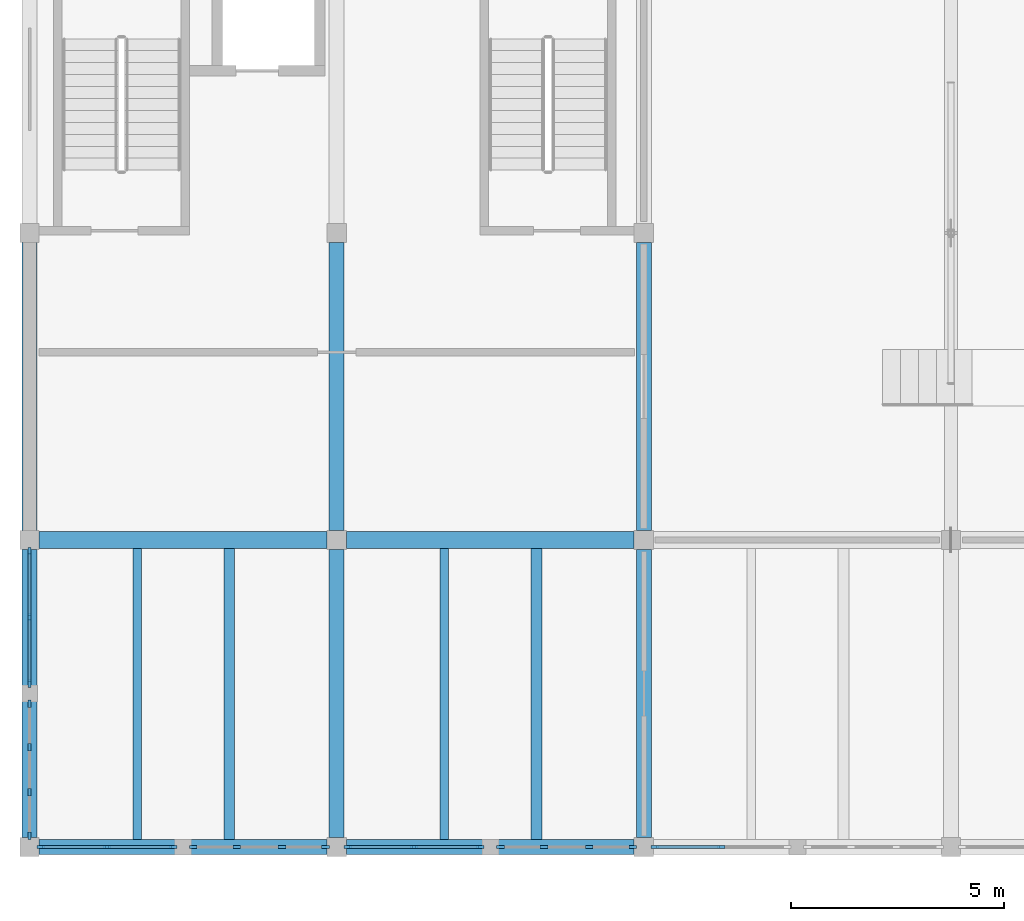
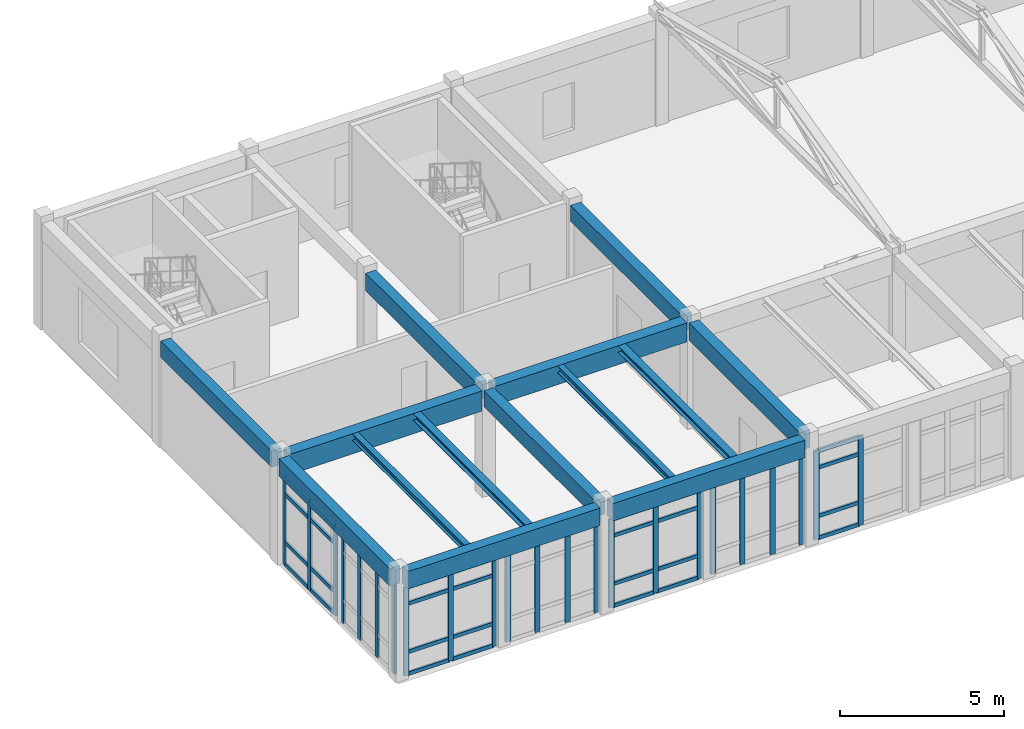
# One storey, part 7 of 136: 51 members, 14 beams, 7 elements without a shape of their own.
"""IFC4 building model written with IfcOpenShell, lengths in metres."""

from ifc_helpers import new_model, si_unit, direction, frame, origin, origin_2d, place, context, subcontext, project, spatial, rectangle, i_section, extrude, material, layer, layer_set, material_profile, profile_set, type_object, element, aggregate, save


model = new_model("IFC4")

# Units and contexts
model_context = context("Model", 3, precision=1e-05, world=origin(), true_north=direction((0.0, 1.0)))
body_context = subcontext(model_context, "Body", "Model", "MODEL_VIEW")
ifc_project = project(units=[si_unit("LENGTHUNIT", "METRE"), si_unit("AREAUNIT", "SQUARE_METRE"), si_unit("VOLUMEUNIT", "CUBIC_METRE"), si_unit("PLANEANGLEUNIT", "RADIAN"), si_unit("MASSUNIT", "GRAM", prefix="KILO")], contexts=[model_context])

# Site, building, storey
site_placement = place(None, origin())
site = spatial("IfcSite", under=ifc_project, at=site_placement, CompositionType="ELEMENT")
building_placement = place(site_placement, origin())
building = spatial("IfcBuilding", under=site, at=building_placement, Name="Koriwan Promenade Central Fire Station", CompositionType="ELEMENT")
storey_placement = place(building_placement, frame((0.0, 0.0, 5.39990234375)))
storey = spatial("IfcBuildingStorey", under=building, at=storey_placement, Name="L01", CompositionType="ELEMENT", Elevation=5.39990234375)

# Beams
ifc_material_1 = material(Name="Concrete C35/45", Category="concrete")
ifc_material_profile_1 = material_profile(ifc_material_1, rectangle(XDim=0.35009765625, YDim=0.60009765625, at=origin_2d()), Name="RC-BM-350x600")
ifc_profile_set_1 = profile_set([ifc_material_profile_1], Name="Concrete C35/45")
beam_type_1 = type_object("IfcBeamType", Name="Beam_RC-BM-350x600", PredefinedType="BEAM", material=ifc_profile_set_1)
for number, where, z_axis, x_axis, name in (
    (1, (0.0, 7.425048828125, 3.650146484375), (0.0, 1.0, 0.0), (-1.0, 0.0, 0.0), "V3 L01 girder Y-286"),
    (2, (7.199951171875, 0.22509765625, 3.650146484375), (0.0, 1.0, 0.0), (-1.0, 0.0, 0.0), "V3 L01 girder Y-288"),
    (3, (14.39990234375, 7.425048828125, 3.650146484375), (0.0, 1.0, 0.0), (-1.0, 0.0, 0.0), "V3 L01 girder Y-292"),
):
    element("IfcBeam", number, at=place(storey_placement, frame(where, z_axis=z_axis, x_axis=x_axis)), inside=storey, type_object=beam_type_1, Name=name, PredefinedType="BEAM", context=body_context, shape_type="SweptSolid", body=[
        extrude(rectangle(XDim=0.35009765625, YDim=0.60009765625, at=origin_2d()), origin(), (0.0, 0.0, 1.0), 6.75),
    ])
ifc_material_profile_2 = material_profile(ifc_material_1, rectangle(XDim=0.35009765625, YDim=0.64990234375, at=origin_2d()), Name="RC-BM-350x650")
ifc_profile_set_2 = profile_set([ifc_material_profile_2], Name="Concrete C35/45")
beam_type_2 = type_object("IfcBeamType", Name="Beam_RC-BM-350x650", PredefinedType="BEAM", material=ifc_profile_set_2)
for number, where, z_axis, x_axis, name in (
    (4, (0.0, 0.22509765625, 3.625), (0.0, 1.0, 0.0), (-1.0, 0.0, 0.0), "V3 L01 girder Y-285"),
    (5, (7.199951171875, 7.425048828125, 3.625), (0.0, 1.0, 0.0), (-1.0, 0.0, 0.0), "V3 L01 girder Y-289"),
    (6, (14.39990234375, 0.22509765625, 3.625), (0.0, 1.0, 0.0), (-1.0, 0.0, 0.0), "V3 L01 girder Y-291"),
):
    element("IfcBeam", number, at=place(storey_placement, frame(where, z_axis=z_axis, x_axis=x_axis)), inside=storey, type_object=beam_type_2, Name=name, PredefinedType="BEAM", context=body_context, shape_type="SweptSolid", body=[
        extrude(rectangle(XDim=0.35009765625, YDim=0.64990234375, at=origin_2d()), origin(), (0.0, 0.0, 1.0), 6.75),
    ])
ifc_material_profile_3 = material_profile(ifc_material_1, rectangle(XDim=0.39990234375, YDim=0.699951171875, at=origin_2d()), Name="RC-BM-400x700")
ifc_profile_set_3 = profile_set([ifc_material_profile_3], Name="Concrete C35/45")
beam_type_3 = type_object("IfcBeamType", Name="Beam_RC-BM-400x700", PredefinedType="BEAM", material=ifc_profile_set_3)
beam_1_placement = place(storey_placement, frame((7.425048828125, 7.199951171875, 3.60009765625), z_axis=(1.0, 0.0, 0.0), x_axis=(0.0, 1.0, 0.0)))
element("IfcBeam", 7, at=beam_1_placement, inside=storey, type_object=beam_type_3, Name="V3 L01 girder X-276", PredefinedType="BEAM", context=body_context, shape_type="SweptSolid", body=[
    extrude(rectangle(XDim=0.39990234375, YDim=0.699951171875, at=origin_2d()), origin(), (0.0, 0.0, 1.0), 6.75),
])
ifc_material_profile_4 = material_profile(ifc_material_1, rectangle(XDim=0.39990234375, YDim=0.75, at=origin_2d()), Name="RC-BM-400x750")
ifc_profile_set_4 = profile_set([ifc_material_profile_4], Name="Concrete C35/45")
beam_type_4 = type_object("IfcBeamType", Name="Beam_RC-BM-400x750", PredefinedType="BEAM", material=ifc_profile_set_4)
beam_2_placement = place(storey_placement, frame((0.22509765625, 7.199951171875, 3.5751953125), z_axis=(1.0, 0.0, 0.0), x_axis=(0.0, 1.0, 0.0)))
element("IfcBeam", 8, at=beam_2_placement, inside=storey, type_object=beam_type_4, Name="V3 L01 girder X-275", PredefinedType="BEAM", context=body_context, shape_type="SweptSolid", body=[
    extrude(rectangle(XDim=0.39990234375, YDim=0.75, at=origin_2d()), origin(), (0.0, 0.0, 1.0), 6.75),
])
ifc_material_profile_5 = material_profile(ifc_material_1, rectangle(XDim=0.35009765625, YDim=0.64990234375, at=origin_2d()), Name="RC-SP-350x650")
ifc_profile_set_5 = profile_set([ifc_material_profile_5], Name="Concrete C35/45")
beam_type_5 = type_object("IfcBeamType", Name="Beam_RC-SP-350x650", PredefinedType="SPANDREL", material=ifc_profile_set_5)
for number, where, z_axis, x_axis, name in (
    (9, (0.22509765625, 0.0, 3.625), (1.0, 0.0, 0.0), (0.0, 1.0, 0.0), "V3 L01 girder X-270"),
    (10, (7.425048828125, 0.0, 3.625), (1.0, 0.0, 0.0), (0.0, 1.0, 0.0), "V3 L01 girder X-271"),
):
    element("IfcBeam", number, at=place(storey_placement, frame(where, z_axis=z_axis, x_axis=x_axis)), inside=storey, type_object=beam_type_5, Name=name, PredefinedType="SPANDREL", context=body_context, shape_type="SweptSolid", body=[
        extrude(rectangle(XDim=0.35009765625, YDim=0.64990234375, at=origin_2d()), origin(), (0.0, 0.0, 1.0), 6.75),
    ])

# Curtain wall, members
ifc_material_2 = material(Name="Aluminium EN AW-6063-T6 and low-E glazing", Category="aluminium")
ifc_layer_1 = layer(ifc_material_2, 0.159912109375, Name="Aluminium EN AW-6063-T6 and low-E glazing")
ifc_layer_set_1 = layer_set([ifc_layer_1], Name="Aluminium EN AW-6063-T6 and low-E glazing")
curtain_wall_type_1 = type_object("IfcCurtainWallType", Name="CurtainWall_28_318x329", PredefinedType="USERDEFINED", material=ifc_layer_set_1)
curtain_wall_1_placement = place(storey_placement, origin())
curtain_wall_1 = element("IfcCurtainWall", 11, at=curtain_wall_1_placement, inside=storey, type_object=curtain_wall_type_1, Name="V3 L01 unitised curtain wall 069", ObjectType="UNITISED CURTAIN WALL", PredefinedType="USERDEFINED")
ifc_material_3 = material(Name="Aluminium EN AW-6063-T6", Category="aluminium")
ifc_material_profile_6 = material_profile(ifc_material_3, rectangle(XDim=0.074951171875, YDim=0.179931640625, at=origin_2d()), Name="ALU-MUL-75x180")
ifc_profile_set_6 = profile_set([ifc_material_profile_6], Name="Aluminium EN AW-6063-T6")
member_type_1 = type_object("IfcMemberType", Name="CWMullion_ALU-MUL-75x180", PredefinedType="MULLION", material=ifc_profile_set_6)
member_1_placement = place(storey_placement, frame((0.0, 6.9375, 0.0), z_axis=(0.0, 0.0, 1.0), x_axis=(1.0, 0.0, 0.0)))
member_1 = element("IfcMember", 12, at=member_1_placement, type_object=member_type_1, Name="CW-28 mullion 1", PredefinedType="MULLION", context=body_context, shape_type="SweptSolid", body=[
    extrude(rectangle(XDim=0.074951171875, YDim=0.179931640625, at=origin_2d()), origin(), (0.0, 0.0, 1.0), 3.2900390625),
])
member_2_placement = place(storey_placement, frame((0.0, 5.387451171875, 0.0), z_axis=(0.0, 0.0, 1.0), x_axis=(1.0, 0.0, 0.0)))
member_2 = element("IfcMember", 13, at=member_2_placement, type_object=member_type_1, Name="CW-28 mullion 2", PredefinedType="MULLION", context=body_context, shape_type="SweptSolid", body=[
    extrude(rectangle(XDim=0.074951171875, YDim=0.179931640625, at=origin_2d()), origin(), (0.0, 0.0, 1.0), 3.2900390625),
])
member_3_placement = place(storey_placement, frame((0.0, 3.83740234375, 0.0), z_axis=(0.0, 0.0, 1.0), x_axis=(1.0, 0.0, 0.0)))
member_3 = element("IfcMember", 14, at=member_3_placement, type_object=member_type_1, Name="CW-28 mullion 3", PredefinedType="MULLION", context=body_context, shape_type="SweptSolid", body=[
    extrude(rectangle(XDim=0.074951171875, YDim=0.179931640625, at=origin_2d()), origin(), (0.0, 0.0, 1.0), 3.2900390625),
])

ifc_layer_2 = layer(ifc_material_2, 0.159912109375, Name="Aluminium EN AW-6063-T6 and low-E glazing")
ifc_layer_set_2 = layer_set([ifc_layer_2], Name="Aluminium EN AW-6063-T6 and low-E glazing")
curtain_wall_type_2 = type_object("IfcCurtainWallType", Name="CurtainWall_29_318x329", PredefinedType="USERDEFINED", material=ifc_layer_set_2)
curtain_wall_2_placement = place(storey_placement, origin())
curtain_wall_2 = element("IfcCurtainWall", 15, at=curtain_wall_2_placement, inside=storey, type_object=curtain_wall_type_2, Name="V3 L01 unitised curtain wall 070", ObjectType="UNITISED CURTAIN WALL", PredefinedType="USERDEFINED")
member_4_placement = place(storey_placement, frame((0.0, 3.362548828125, 0.0), z_axis=(0.0, 0.0, 1.0), x_axis=(1.0, 0.0, 0.0)))
member_4 = element("IfcMember", 16, at=member_4_placement, type_object=member_type_1, Name="CW-29 mullion 1", PredefinedType="MULLION", context=body_context, shape_type="SweptSolid", body=[
    extrude(rectangle(XDim=0.074951171875, YDim=0.179931640625, at=origin_2d()), origin(), (0.0, 0.0, 1.0), 3.2900390625),
])
member_5_placement = place(storey_placement, frame((0.0, 2.341552734375, 0.0), z_axis=(0.0, 0.0, 1.0), x_axis=(1.0, 0.0, 0.0)))
member_5 = element("IfcMember", 17, at=member_5_placement, type_object=member_type_1, Name="CW-29 mullion 2", PredefinedType="MULLION", context=body_context, shape_type="SweptSolid", body=[
    extrude(rectangle(XDim=0.074951171875, YDim=0.179931640625, at=origin_2d()), origin(), (0.0, 0.0, 1.0), 3.2900390625),
])
member_6_placement = place(storey_placement, frame((0.0, 1.283447265625, 0.0), z_axis=(0.0, 0.0, 1.0), x_axis=(1.0, 0.0, 0.0)))
member_6 = element("IfcMember", 18, at=member_6_placement, type_object=member_type_1, Name="CW-29 mullion 3", PredefinedType="MULLION", context=body_context, shape_type="SweptSolid", body=[
    extrude(rectangle(XDim=0.074951171875, YDim=0.179931640625, at=origin_2d()), origin(), (0.0, 0.0, 1.0), 3.2900390625),
])
member_7_placement = place(storey_placement, frame((0.0, 0.262451171875, 0.0), z_axis=(0.0, 0.0, 1.0), x_axis=(1.0, 0.0, 0.0)))
member_7 = element("IfcMember", 19, at=member_7_placement, type_object=member_type_1, Name="CW-29 mullion 4", PredefinedType="MULLION", context=body_context, shape_type="SweptSolid", body=[
    extrude(rectangle(XDim=0.074951171875, YDim=0.179931640625, at=origin_2d()), origin(), (0.0, 0.0, 1.0), 3.2900390625),
])
aggregate(curtain_wall_2, [member_4, member_5, member_6, member_7])

curtain_wall_3_placement = place(storey_placement, origin())
curtain_wall_3 = element("IfcCurtainWall", 20, at=curtain_wall_3_placement, inside=storey, type_object=curtain_wall_type_1, Name="V3 L01 unitised curtain wall 071", ObjectType="UNITISED CURTAIN WALL", PredefinedType="USERDEFINED")
member_8_placement = place(storey_placement, frame((0.262451171875, 0.0, 0.0), z_axis=(0.0, 0.0, 1.0), x_axis=(0.0, 1.0, 0.0)))
member_8 = element("IfcMember", 21, at=member_8_placement, type_object=member_type_1, Name="CW-28 mullion 1", PredefinedType="MULLION", context=body_context, shape_type="SweptSolid", body=[
    extrude(rectangle(XDim=0.074951171875, YDim=0.179931640625, at=origin_2d()), origin(), (0.0, 0.0, 1.0), 3.2900390625),
])
member_9_placement = place(storey_placement, frame((1.8125, 0.0, 0.0), z_axis=(0.0, 0.0, 1.0), x_axis=(0.0, 1.0, 0.0)))
member_9 = element("IfcMember", 22, at=member_9_placement, type_object=member_type_1, Name="CW-28 mullion 2", PredefinedType="MULLION", context=body_context, shape_type="SweptSolid", body=[
    extrude(rectangle(XDim=0.074951171875, YDim=0.179931640625, at=origin_2d()), origin(), (0.0, 0.0, 1.0), 3.2900390625),
])
member_10_placement = place(storey_placement, frame((3.362548828125, 0.0, 0.0), z_axis=(0.0, 0.0, 1.0), x_axis=(0.0, 1.0, 0.0)))
member_10 = element("IfcMember", 23, at=member_10_placement, type_object=member_type_1, Name="CW-28 mullion 3", PredefinedType="MULLION", context=body_context, shape_type="SweptSolid", body=[
    extrude(rectangle(XDim=0.074951171875, YDim=0.179931640625, at=origin_2d()), origin(), (0.0, 0.0, 1.0), 3.2900390625),
])

curtain_wall_4_placement = place(storey_placement, origin())
curtain_wall_4 = element("IfcCurtainWall", 24, at=curtain_wall_4_placement, inside=storey, type_object=curtain_wall_type_2, Name="V3 L01 unitised curtain wall 072", ObjectType="UNITISED CURTAIN WALL", PredefinedType="USERDEFINED")
member_11_placement = place(storey_placement, frame((3.83740234375, 0.0, 0.0), z_axis=(0.0, 0.0, 1.0), x_axis=(0.0, 1.0, 0.0)))
member_11 = element("IfcMember", 25, at=member_11_placement, type_object=member_type_1, Name="CW-29 mullion 1", PredefinedType="MULLION", context=body_context, shape_type="SweptSolid", body=[
    extrude(rectangle(XDim=0.074951171875, YDim=0.179931640625, at=origin_2d()), origin(), (0.0, 0.0, 1.0), 3.2900390625),
])
member_12_placement = place(storey_placement, frame((4.8583984375, 0.0, 0.0), z_axis=(0.0, 0.0, 1.0), x_axis=(0.0, 1.0, 0.0)))
member_12 = element("IfcMember", 26, at=member_12_placement, type_object=member_type_1, Name="CW-29 mullion 2", PredefinedType="MULLION", context=body_context, shape_type="SweptSolid", body=[
    extrude(rectangle(XDim=0.074951171875, YDim=0.179931640625, at=origin_2d()), origin(), (0.0, 0.0, 1.0), 3.2900390625),
])
member_13_placement = place(storey_placement, frame((5.916748046875, 0.0, 0.0), z_axis=(0.0, 0.0, 1.0), x_axis=(0.0, 1.0, 0.0)))
member_13 = element("IfcMember", 27, at=member_13_placement, type_object=member_type_1, Name="CW-29 mullion 3", PredefinedType="MULLION", context=body_context, shape_type="SweptSolid", body=[
    extrude(rectangle(XDim=0.074951171875, YDim=0.179931640625, at=origin_2d()), origin(), (0.0, 0.0, 1.0), 3.2900390625),
])
member_14_placement = place(storey_placement, frame((6.9375, 0.0, 0.0), z_axis=(0.0, 0.0, 1.0), x_axis=(0.0, 1.0, 0.0)))
member_14 = element("IfcMember", 28, at=member_14_placement, type_object=member_type_1, Name="CW-29 mullion 4", PredefinedType="MULLION", context=body_context, shape_type="SweptSolid", body=[
    extrude(rectangle(XDim=0.074951171875, YDim=0.179931640625, at=origin_2d()), origin(), (0.0, 0.0, 1.0), 3.2900390625),
])
aggregate(curtain_wall_4, [member_11, member_12, member_13, member_14])

curtain_wall_5_placement = place(storey_placement, origin())
curtain_wall_5 = element("IfcCurtainWall", 29, at=curtain_wall_5_placement, inside=storey, type_object=curtain_wall_type_1, Name="V3 L01 unitised curtain wall 073", ObjectType="UNITISED CURTAIN WALL", PredefinedType="USERDEFINED")
member_15_placement = place(storey_placement, frame((7.46240234375, 0.0, 0.0), z_axis=(0.0, 0.0, 1.0), x_axis=(0.0, 1.0, 0.0)))
member_15 = element("IfcMember", 30, at=member_15_placement, type_object=member_type_1, Name="CW-28 mullion 1", PredefinedType="MULLION", context=body_context, shape_type="SweptSolid", body=[
    extrude(rectangle(XDim=0.074951171875, YDim=0.179931640625, at=origin_2d()), origin(), (0.0, 0.0, 1.0), 3.2900390625),
])
member_16_placement = place(storey_placement, frame((9.012451171875, 0.0, 0.0), z_axis=(0.0, 0.0, 1.0), x_axis=(0.0, 1.0, 0.0)))
member_16 = element("IfcMember", 31, at=member_16_placement, type_object=member_type_1, Name="CW-28 mullion 2", PredefinedType="MULLION", context=body_context, shape_type="SweptSolid", body=[
    extrude(rectangle(XDim=0.074951171875, YDim=0.179931640625, at=origin_2d()), origin(), (0.0, 0.0, 1.0), 3.2900390625),
])
member_17_placement = place(storey_placement, frame((10.5625, 0.0, 0.0), z_axis=(0.0, 0.0, 1.0), x_axis=(0.0, 1.0, 0.0)))
member_17 = element("IfcMember", 32, at=member_17_placement, type_object=member_type_1, Name="CW-28 mullion 3", PredefinedType="MULLION", context=body_context, shape_type="SweptSolid", body=[
    extrude(rectangle(XDim=0.074951171875, YDim=0.179931640625, at=origin_2d()), origin(), (0.0, 0.0, 1.0), 3.2900390625),
])

curtain_wall_6_placement = place(storey_placement, origin())
curtain_wall_6 = element("IfcCurtainWall", 33, at=curtain_wall_6_placement, inside=storey, type_object=curtain_wall_type_2, Name="V3 L01 unitised curtain wall 074", ObjectType="UNITISED CURTAIN WALL", PredefinedType="USERDEFINED")
member_18_placement = place(storey_placement, frame((11.03759765625, 0.0, 0.0), z_axis=(0.0, 0.0, 1.0), x_axis=(0.0, 1.0, 0.0)))
member_18 = element("IfcMember", 34, at=member_18_placement, type_object=member_type_1, Name="CW-29 mullion 1", PredefinedType="MULLION", context=body_context, shape_type="SweptSolid", body=[
    extrude(rectangle(XDim=0.074951171875, YDim=0.179931640625, at=origin_2d()), origin(), (0.0, 0.0, 1.0), 3.2900390625),
])
member_19_placement = place(storey_placement, frame((12.058349609375, 0.0, 0.0), z_axis=(0.0, 0.0, 1.0), x_axis=(0.0, 1.0, 0.0)))
member_19 = element("IfcMember", 35, at=member_19_placement, type_object=member_type_1, Name="CW-29 mullion 2", PredefinedType="MULLION", context=body_context, shape_type="SweptSolid", body=[
    extrude(rectangle(XDim=0.074951171875, YDim=0.179931640625, at=origin_2d()), origin(), (0.0, 0.0, 1.0), 3.2900390625),
])
member_20_placement = place(storey_placement, frame((13.11669921875, 0.0, 0.0), z_axis=(0.0, 0.0, 1.0), x_axis=(0.0, 1.0, 0.0)))
member_20 = element("IfcMember", 36, at=member_20_placement, type_object=member_type_1, Name="CW-29 mullion 3", PredefinedType="MULLION", context=body_context, shape_type="SweptSolid", body=[
    extrude(rectangle(XDim=0.074951171875, YDim=0.179931640625, at=origin_2d()), origin(), (0.0, 0.0, 1.0), 3.2900390625),
])
member_21_placement = place(storey_placement, frame((14.137451171875, 0.0, 0.0), z_axis=(0.0, 0.0, 1.0), x_axis=(0.0, 1.0, 0.0)))
member_21 = element("IfcMember", 37, at=member_21_placement, type_object=member_type_1, Name="CW-29 mullion 4", PredefinedType="MULLION", context=body_context, shape_type="SweptSolid", body=[
    extrude(rectangle(XDim=0.074951171875, YDim=0.179931640625, at=origin_2d()), origin(), (0.0, 0.0, 1.0), 3.2900390625),
])
aggregate(curtain_wall_6, [member_18, member_19, member_20, member_21])

ifc_layer_3 = layer(ifc_material_2, 0.159912109375, Name="Aluminium EN AW-6063-T6 and low-E glazing")
ifc_layer_set_3 = layer_set([ifc_layer_3], Name="Aluminium EN AW-6063-T6 and low-E glazing")
curtain_wall_type_3 = type_object("IfcCurtainWallType", Name="CurtainWall_30_318x330", PredefinedType="USERDEFINED", material=ifc_layer_set_3)
curtain_wall_7_placement = place(storey_placement, origin())
curtain_wall_7 = element("IfcCurtainWall", 38, at=curtain_wall_7_placement, inside=storey, type_object=curtain_wall_type_3, Name="V3 L01 unitised curtain wall 075", ObjectType="UNITISED CURTAIN WALL", PredefinedType="USERDEFINED")
member_22_placement = place(storey_placement, frame((14.66259765625, 0.0, 0.0), z_axis=(0.0, 0.0, 1.0), x_axis=(0.0, 1.0, 0.0)))
member_22 = element("IfcMember", 39, at=member_22_placement, type_object=member_type_1, Name="CW-30 mullion 1", PredefinedType="MULLION", context=body_context, shape_type="SweptSolid", body=[
    extrude(rectangle(XDim=0.074951171875, YDim=0.179931640625, at=origin_2d()), origin(), (0.0, 0.0, 1.0), 3.300048828125),
])
member_23_placement = place(storey_placement, frame((16.21240234375, 0.0, 0.0), z_axis=(0.0, 0.0, 1.0), x_axis=(0.0, 1.0, 0.0)))
member_23 = element("IfcMember", 40, at=member_23_placement, type_object=member_type_1, Name="CW-30 mullion 2", PredefinedType="MULLION", context=body_context, shape_type="SweptSolid", body=[
    extrude(rectangle(XDim=0.074951171875, YDim=0.179931640625, at=origin_2d()), origin(), (0.0, 0.0, 1.0), 3.300048828125),
])

# Member
ifc_material_profile_7 = material_profile(ifc_material_3, rectangle(XDim=0.074951171875, YDim=0.139892578125, at=origin_2d()), Name="ALU-TRN-75x140")
ifc_profile_set_7 = profile_set([ifc_material_profile_7], Name="Aluminium EN AW-6063-T6")
member_type_2 = type_object("IfcMemberType", Name="CWTransom_ALU-TRN-75x140", PredefinedType="USERDEFINED", material=ifc_profile_set_7)
member_24_placement = place(storey_placement, frame((0.0, 6.89990234375, 0.03759765625), z_axis=(0.0, -1.0, 0.0), x_axis=(1.0, 0.0, 0.0)))
member_24 = element("IfcMember", 41, at=member_24_placement, type_object=member_type_2, Name="CW-28 transom 1.1", ObjectType="TRANSOM", PredefinedType="USERDEFINED", context=body_context, shape_type="SweptSolid", body=[
    extrude(rectangle(XDim=0.074951171875, YDim=0.139892578125, at=origin_2d()), origin(), (0.0, 0.0, 1.0), 1.474853515625),
])

member_25_placement = place(storey_placement, frame((0.0, 6.89990234375, 0.85009765625), z_axis=(0.0, -1.0, 0.0), x_axis=(1.0, 0.0, 0.0)))
member_25 = element("IfcMember", 42, at=member_25_placement, type_object=member_type_2, Name="CW-28 transom 1.2", ObjectType="TRANSOM", PredefinedType="USERDEFINED", context=body_context, shape_type="SweptSolid", body=[
    extrude(rectangle(XDim=0.074951171875, YDim=0.139892578125, at=origin_2d()), origin(), (0.0, 0.0, 1.0), 1.474853515625),
])

member_26_placement = place(storey_placement, frame((0.0, 6.89990234375, 2.64013671875), z_axis=(0.0, -1.0, 0.0), x_axis=(1.0, 0.0, 0.0)))
member_26 = element("IfcMember", 43, at=member_26_placement, type_object=member_type_2, Name="CW-28 transom 1.3", ObjectType="TRANSOM", PredefinedType="USERDEFINED", context=body_context, shape_type="SweptSolid", body=[
    extrude(rectangle(XDim=0.074951171875, YDim=0.139892578125, at=origin_2d()), origin(), (0.0, 0.0, 1.0), 1.474853515625),
])

member_27_placement = place(storey_placement, frame((0.0, 6.89990234375, 3.252685546875), z_axis=(0.0, -1.0, 0.0), x_axis=(1.0, 0.0, 0.0)))
member_27 = element("IfcMember", 44, at=member_27_placement, type_object=member_type_2, Name="CW-28 transom 1.4", ObjectType="TRANSOM", PredefinedType="USERDEFINED", context=body_context, shape_type="SweptSolid", body=[
    extrude(rectangle(XDim=0.074951171875, YDim=0.139892578125, at=origin_2d()), origin(), (0.0, 0.0, 1.0), 1.474853515625),
])

member_28_placement = place(storey_placement, frame((0.0, 5.35009765625, 0.03759765625), z_axis=(0.0, -1.0, 0.0), x_axis=(1.0, 0.0, 0.0)))
member_28 = element("IfcMember", 45, at=member_28_placement, type_object=member_type_2, Name="CW-28 transom 2.1", ObjectType="TRANSOM", PredefinedType="USERDEFINED", context=body_context, shape_type="SweptSolid", body=[
    extrude(rectangle(XDim=0.074951171875, YDim=0.139892578125, at=origin_2d()), origin(), (0.0, 0.0, 1.0), 1.47509765625),
])

member_29_placement = place(storey_placement, frame((0.0, 5.35009765625, 0.85009765625), z_axis=(0.0, -1.0, 0.0), x_axis=(1.0, 0.0, 0.0)))
member_29 = element("IfcMember", 46, at=member_29_placement, type_object=member_type_2, Name="CW-28 transom 2.2", ObjectType="TRANSOM", PredefinedType="USERDEFINED", context=body_context, shape_type="SweptSolid", body=[
    extrude(rectangle(XDim=0.074951171875, YDim=0.139892578125, at=origin_2d()), origin(), (0.0, 0.0, 1.0), 1.47509765625),
])

member_30_placement = place(storey_placement, frame((0.0, 5.35009765625, 2.64013671875), z_axis=(0.0, -1.0, 0.0), x_axis=(1.0, 0.0, 0.0)))
member_30 = element("IfcMember", 47, at=member_30_placement, type_object=member_type_2, Name="CW-28 transom 2.3", ObjectType="TRANSOM", PredefinedType="USERDEFINED", context=body_context, shape_type="SweptSolid", body=[
    extrude(rectangle(XDim=0.074951171875, YDim=0.139892578125, at=origin_2d()), origin(), (0.0, 0.0, 1.0), 1.47509765625),
])

member_31_placement = place(storey_placement, frame((0.0, 5.35009765625, 3.252685546875), z_axis=(0.0, -1.0, 0.0), x_axis=(1.0, 0.0, 0.0)))
member_31 = element("IfcMember", 48, at=member_31_placement, type_object=member_type_2, Name="CW-28 transom 2.4", ObjectType="TRANSOM", PredefinedType="USERDEFINED", context=body_context, shape_type="SweptSolid", body=[
    extrude(rectangle(XDim=0.074951171875, YDim=0.139892578125, at=origin_2d()), origin(), (0.0, 0.0, 1.0), 1.47509765625),
])

aggregate(curtain_wall_1, [member_1, member_2, member_3, member_24, member_25, member_26, member_27, member_28, member_29, member_30, member_31])

member_32_placement = place(storey_placement, frame((0.300048828125, 0.0, 0.03759765625), z_axis=(1.0, 0.0, 0.0), x_axis=(0.0, 1.0, 0.0)))
member_32 = element("IfcMember", 49, at=member_32_placement, type_object=member_type_2, Name="CW-28 transom 1.1", ObjectType="TRANSOM", PredefinedType="USERDEFINED", context=body_context, shape_type="SweptSolid", body=[
    extrude(rectangle(XDim=0.074951171875, YDim=0.139892578125, at=origin_2d()), origin(), (0.0, 0.0, 1.0), 1.474853515625),
])

member_33_placement = place(storey_placement, frame((0.300048828125, 0.0, 0.85009765625), z_axis=(1.0, 0.0, 0.0), x_axis=(0.0, 1.0, 0.0)))
member_33 = element("IfcMember", 50, at=member_33_placement, type_object=member_type_2, Name="CW-28 transom 1.2", ObjectType="TRANSOM", PredefinedType="USERDEFINED", context=body_context, shape_type="SweptSolid", body=[
    extrude(rectangle(XDim=0.074951171875, YDim=0.139892578125, at=origin_2d()), origin(), (0.0, 0.0, 1.0), 1.474853515625),
])

member_34_placement = place(storey_placement, frame((0.300048828125, 0.0, 2.64013671875), z_axis=(1.0, 0.0, 0.0), x_axis=(0.0, 1.0, 0.0)))
member_34 = element("IfcMember", 51, at=member_34_placement, type_object=member_type_2, Name="CW-28 transom 1.3", ObjectType="TRANSOM", PredefinedType="USERDEFINED", context=body_context, shape_type="SweptSolid", body=[
    extrude(rectangle(XDim=0.074951171875, YDim=0.139892578125, at=origin_2d()), origin(), (0.0, 0.0, 1.0), 1.474853515625),
])

member_35_placement = place(storey_placement, frame((0.300048828125, 0.0, 3.252685546875), z_axis=(1.0, 0.0, 0.0), x_axis=(0.0, 1.0, 0.0)))
member_35 = element("IfcMember", 52, at=member_35_placement, type_object=member_type_2, Name="CW-28 transom 1.4", ObjectType="TRANSOM", PredefinedType="USERDEFINED", context=body_context, shape_type="SweptSolid", body=[
    extrude(rectangle(XDim=0.074951171875, YDim=0.139892578125, at=origin_2d()), origin(), (0.0, 0.0, 1.0), 1.474853515625),
])

member_36_placement = place(storey_placement, frame((1.85009765625, 0.0, 0.03759765625), z_axis=(1.0, 0.0, 0.0), x_axis=(0.0, 1.0, 0.0)))
member_36 = element("IfcMember", 53, at=member_36_placement, type_object=member_type_2, Name="CW-28 transom 2.1", ObjectType="TRANSOM", PredefinedType="USERDEFINED", context=body_context, shape_type="SweptSolid", body=[
    extrude(rectangle(XDim=0.074951171875, YDim=0.139892578125, at=origin_2d()), origin(), (0.0, 0.0, 1.0), 1.474853515625),
])

member_37_placement = place(storey_placement, frame((1.85009765625, 0.0, 0.85009765625), z_axis=(1.0, 0.0, 0.0), x_axis=(0.0, 1.0, 0.0)))
member_37 = element("IfcMember", 54, at=member_37_placement, type_object=member_type_2, Name="CW-28 transom 2.2", ObjectType="TRANSOM", PredefinedType="USERDEFINED", context=body_context, shape_type="SweptSolid", body=[
    extrude(rectangle(XDim=0.074951171875, YDim=0.139892578125, at=origin_2d()), origin(), (0.0, 0.0, 1.0), 1.474853515625),
])

member_38_placement = place(storey_placement, frame((1.85009765625, 0.0, 2.64013671875), z_axis=(1.0, 0.0, 0.0), x_axis=(0.0, 1.0, 0.0)))
member_38 = element("IfcMember", 55, at=member_38_placement, type_object=member_type_2, Name="CW-28 transom 2.3", ObjectType="TRANSOM", PredefinedType="USERDEFINED", context=body_context, shape_type="SweptSolid", body=[
    extrude(rectangle(XDim=0.074951171875, YDim=0.139892578125, at=origin_2d()), origin(), (0.0, 0.0, 1.0), 1.474853515625),
])

member_39_placement = place(storey_placement, frame((1.85009765625, 0.0, 3.252685546875), z_axis=(1.0, 0.0, 0.0), x_axis=(0.0, 1.0, 0.0)))
member_39 = element("IfcMember", 56, at=member_39_placement, type_object=member_type_2, Name="CW-28 transom 2.4", ObjectType="TRANSOM", PredefinedType="USERDEFINED", context=body_context, shape_type="SweptSolid", body=[
    extrude(rectangle(XDim=0.074951171875, YDim=0.139892578125, at=origin_2d()), origin(), (0.0, 0.0, 1.0), 1.474853515625),
])

aggregate(curtain_wall_3, [member_8, member_9, member_10, member_32, member_33, member_34, member_35, member_36, member_37, member_38, member_39])

member_40_placement = place(storey_placement, frame((7.5, 0.0, 0.03759765625), z_axis=(1.0, 0.0, 0.0), x_axis=(0.0, 1.0, 0.0)))
member_40 = element("IfcMember", 57, at=member_40_placement, type_object=member_type_2, Name="CW-28 transom 1.1", ObjectType="TRANSOM", PredefinedType="USERDEFINED", context=body_context, shape_type="SweptSolid", body=[
    extrude(rectangle(XDim=0.074951171875, YDim=0.139892578125, at=origin_2d()), origin(), (0.0, 0.0, 1.0), 1.47509765625),
])

member_41_placement = place(storey_placement, frame((7.5, 0.0, 0.85009765625), z_axis=(1.0, 0.0, 0.0), x_axis=(0.0, 1.0, 0.0)))
member_41 = element("IfcMember", 58, at=member_41_placement, type_object=member_type_2, Name="CW-28 transom 1.2", ObjectType="TRANSOM", PredefinedType="USERDEFINED", context=body_context, shape_type="SweptSolid", body=[
    extrude(rectangle(XDim=0.074951171875, YDim=0.139892578125, at=origin_2d()), origin(), (0.0, 0.0, 1.0), 1.47509765625),
])

member_42_placement = place(storey_placement, frame((7.5, 0.0, 2.64013671875), z_axis=(1.0, 0.0, 0.0), x_axis=(0.0, 1.0, 0.0)))
member_42 = element("IfcMember", 59, at=member_42_placement, type_object=member_type_2, Name="CW-28 transom 1.3", ObjectType="TRANSOM", PredefinedType="USERDEFINED", context=body_context, shape_type="SweptSolid", body=[
    extrude(rectangle(XDim=0.074951171875, YDim=0.139892578125, at=origin_2d()), origin(), (0.0, 0.0, 1.0), 1.47509765625),
])

member_43_placement = place(storey_placement, frame((7.5, 0.0, 3.252685546875), z_axis=(1.0, 0.0, 0.0), x_axis=(0.0, 1.0, 0.0)))
member_43 = element("IfcMember", 60, at=member_43_placement, type_object=member_type_2, Name="CW-28 transom 1.4", ObjectType="TRANSOM", PredefinedType="USERDEFINED", context=body_context, shape_type="SweptSolid", body=[
    extrude(rectangle(XDim=0.074951171875, YDim=0.139892578125, at=origin_2d()), origin(), (0.0, 0.0, 1.0), 1.47509765625),
])

member_44_placement = place(storey_placement, frame((9.050048828125, 0.0, 0.03759765625), z_axis=(1.0, 0.0, 0.0), x_axis=(0.0, 1.0, 0.0)))
member_44 = element("IfcMember", 61, at=member_44_placement, type_object=member_type_2, Name="CW-28 transom 2.1", ObjectType="TRANSOM", PredefinedType="USERDEFINED", context=body_context, shape_type="SweptSolid", body=[
    extrude(rectangle(XDim=0.074951171875, YDim=0.139892578125, at=origin_2d()), origin(), (0.0, 0.0, 1.0), 1.474853515625),
])

member_45_placement = place(storey_placement, frame((9.050048828125, 0.0, 0.85009765625), z_axis=(1.0, 0.0, 0.0), x_axis=(0.0, 1.0, 0.0)))
member_45 = element("IfcMember", 62, at=member_45_placement, type_object=member_type_2, Name="CW-28 transom 2.2", ObjectType="TRANSOM", PredefinedType="USERDEFINED", context=body_context, shape_type="SweptSolid", body=[
    extrude(rectangle(XDim=0.074951171875, YDim=0.139892578125, at=origin_2d()), origin(), (0.0, 0.0, 1.0), 1.474853515625),
])

member_46_placement = place(storey_placement, frame((9.050048828125, 0.0, 2.64013671875), z_axis=(1.0, 0.0, 0.0), x_axis=(0.0, 1.0, 0.0)))
member_46 = element("IfcMember", 63, at=member_46_placement, type_object=member_type_2, Name="CW-28 transom 2.3", ObjectType="TRANSOM", PredefinedType="USERDEFINED", context=body_context, shape_type="SweptSolid", body=[
    extrude(rectangle(XDim=0.074951171875, YDim=0.139892578125, at=origin_2d()), origin(), (0.0, 0.0, 1.0), 1.474853515625),
])

member_47_placement = place(storey_placement, frame((9.050048828125, 0.0, 3.252685546875), z_axis=(1.0, 0.0, 0.0), x_axis=(0.0, 1.0, 0.0)))
member_47 = element("IfcMember", 64, at=member_47_placement, type_object=member_type_2, Name="CW-28 transom 2.4", ObjectType="TRANSOM", PredefinedType="USERDEFINED", context=body_context, shape_type="SweptSolid", body=[
    extrude(rectangle(XDim=0.074951171875, YDim=0.139892578125, at=origin_2d()), origin(), (0.0, 0.0, 1.0), 1.474853515625),
])

aggregate(curtain_wall_5, [member_15, member_16, member_17, member_40, member_41, member_42, member_43, member_44, member_45, member_46, member_47])

member_48_placement = place(storey_placement, frame((14.699951171875, 0.0, 0.03759765625), z_axis=(1.0, 0.0, 0.0), x_axis=(0.0, 1.0, 0.0)))
member_48 = element("IfcMember", 65, at=member_48_placement, type_object=member_type_2, Name="CW-30 transom 1.1", ObjectType="TRANSOM", PredefinedType="USERDEFINED", context=body_context, shape_type="SweptSolid", body=[
    extrude(rectangle(XDim=0.074951171875, YDim=0.139892578125, at=origin_2d()), origin(), (0.0, 0.0, 1.0), 1.47509765625),
])

member_49_placement = place(storey_placement, frame((14.699951171875, 0.0, 0.85009765625), z_axis=(1.0, 0.0, 0.0), x_axis=(0.0, 1.0, 0.0)))
member_49 = element("IfcMember", 66, at=member_49_placement, type_object=member_type_2, Name="CW-30 transom 1.2", ObjectType="TRANSOM", PredefinedType="USERDEFINED", context=body_context, shape_type="SweptSolid", body=[
    extrude(rectangle(XDim=0.074951171875, YDim=0.139892578125, at=origin_2d()), origin(), (0.0, 0.0, 1.0), 1.47509765625),
])

member_50_placement = place(storey_placement, frame((14.699951171875, 0.0, 2.650146484375), z_axis=(1.0, 0.0, 0.0), x_axis=(0.0, 1.0, 0.0)))
member_50 = element("IfcMember", 67, at=member_50_placement, type_object=member_type_2, Name="CW-30 transom 1.3", ObjectType="TRANSOM", PredefinedType="USERDEFINED", context=body_context, shape_type="SweptSolid", body=[
    extrude(rectangle(XDim=0.074951171875, YDim=0.139892578125, at=origin_2d()), origin(), (0.0, 0.0, 1.0), 1.47509765625),
])

member_51_placement = place(storey_placement, frame((14.699951171875, 0.0, 3.2626953125), z_axis=(1.0, 0.0, 0.0), x_axis=(0.0, 1.0, 0.0)))
member_51 = element("IfcMember", 68, at=member_51_placement, type_object=member_type_2, Name="CW-30 transom 1.4", ObjectType="TRANSOM", PredefinedType="USERDEFINED", context=body_context, shape_type="SweptSolid", body=[
    extrude(rectangle(XDim=0.074951171875, YDim=0.139892578125, at=origin_2d()), origin(), (0.0, 0.0, 1.0), 1.47509765625),
])

aggregate(curtain_wall_7, [member_22, member_23, member_48, member_49, member_50, member_51])

# Beams
ifc_material_4 = material(Name="Steel ASTM A992 Grade 50", Category="steel")
ifc_material_profile_8 = material_profile(ifc_material_4, i_section(OverallWidth=0.202880859375, OverallDepth=0.251953125, WebThickness=0.008056640625, FlangeThickness=0.013427734375, FilletRadius=0.012939453125, at=origin_2d()), Name="W250x58")
ifc_profile_set_8 = profile_set([ifc_material_profile_8], Name="Steel ASTM A992 Grade 50")
beam_type_6 = type_object("IfcBeamType", Name="SteelBeam_W250x58", PredefinedType="JOIST", material=ifc_profile_set_8)
for number, where, z_axis, x_axis, name in (
    (69, (2.52001953125, 0.175048828125, 3.82421875), (0.0, 1.0, 0.0), (-1.0, 0.0, 0.0), "V3 L01 secondary joist 299"),
    (70, (9.719970703125, 0.175048828125, 3.82421875), (0.0, 1.0, 0.0), (-1.0, 0.0, 0.0), "V3 L01 secondary joist 301"),
):
    element("IfcBeam", number, at=place(storey_placement, frame(where, z_axis=z_axis, x_axis=x_axis)), inside=storey, type_object=beam_type_6, Name=name, PredefinedType="JOIST", context=body_context, shape_type="SweptSolid", body=[
        extrude(i_section(OverallWidth=0.202880859375, OverallDepth=0.251953125, WebThickness=0.008056640625, FlangeThickness=0.013427734375, FilletRadius=0.012939453125, at=origin_2d()), origin(), (0.0, 0.0, 1.0), 6.824951171875),
    ])
ifc_material_profile_9 = material_profile(ifc_material_4, i_section(OverallWidth=0.25390625, OverallDepth=0.2529296875, WebThickness=0.008544921875, FlangeThickness=0.01416015625, FilletRadius=0.012939453125, at=origin_2d()), Name="W250x73")
ifc_profile_set_9 = profile_set([ifc_material_profile_9], Name="Steel ASTM A992 Grade 50")
beam_type_7 = type_object("IfcBeamType", Name="SteelBeam_W250x73", PredefinedType="JOIST", material=ifc_profile_set_9)
for number, where, z_axis, x_axis, name in (
    (71, (4.679931640625, 0.175048828125, 3.823486328125), (0.0, 1.0, 0.0), (-1.0, 0.0, 0.0), "V3 L01 secondary joist 300"),
    (72, (11.8798828125, 0.175048828125, 3.823486328125), (0.0, 1.0, 0.0), (-1.0, 0.0, 0.0), "V3 L01 secondary joist 302"),
):
    element("IfcBeam", number, at=place(storey_placement, frame(where, z_axis=z_axis, x_axis=x_axis)), inside=storey, type_object=beam_type_7, Name=name, PredefinedType="JOIST", context=body_context, shape_type="SweptSolid", body=[
        extrude(i_section(OverallWidth=0.25390625, OverallDepth=0.2529296875, WebThickness=0.008544921875, FlangeThickness=0.01416015625, FilletRadius=0.012939453125, at=origin_2d()), origin(), (0.0, 0.0, 1.0), 6.824951171875),
    ])

save(model, "model.ifc")
